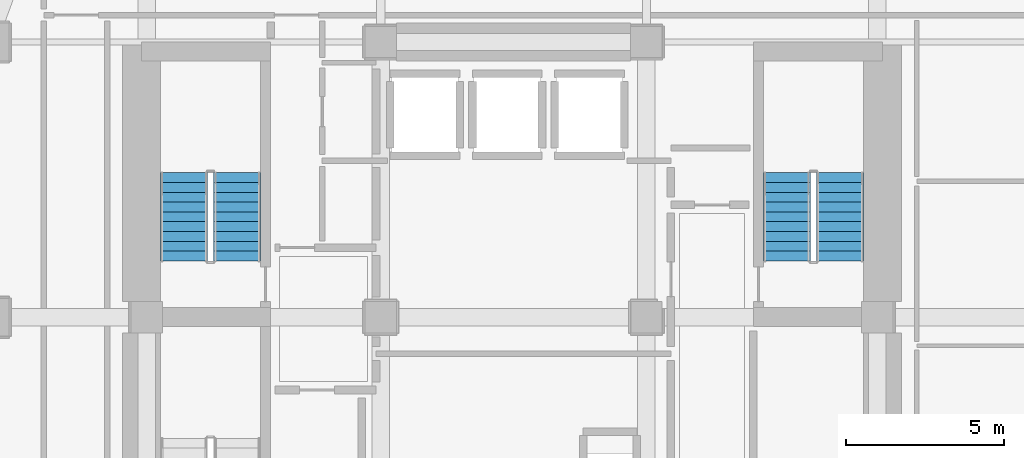
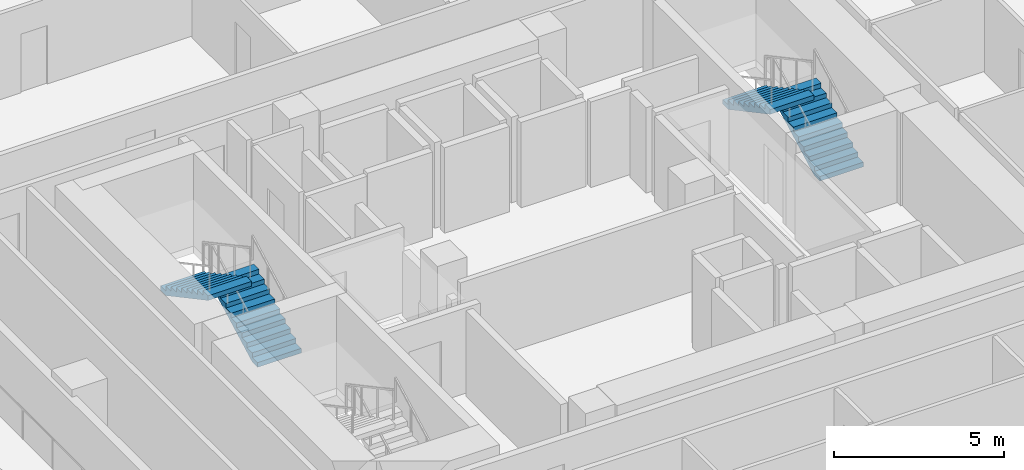
# One storey, part 7 of 11: 4 stair flights, 2 elements without a shape of their own.
"""IFC4 building model written with IfcOpenShell, lengths in metres."""

from ifc_helpers import new_model, si_unit, direction, frame, origin, place, context, subcontext, project, spatial, polyline, outline, extrude, material, type_object, element, aggregate, save


model = new_model("IFC4")

# Units and contexts
model_context = context("Model", 3, precision=1e-05, world=origin(), true_north=direction((0.0, 1.0)))
body_context = subcontext(model_context, "Body", "Model", "MODEL_VIEW")
ifc_project = project(units=[si_unit("LENGTHUNIT", "METRE"), si_unit("AREAUNIT", "SQUARE_METRE"), si_unit("VOLUMEUNIT", "CUBIC_METRE"), si_unit("PLANEANGLEUNIT", "RADIAN"), si_unit("MASSUNIT", "GRAM", prefix="KILO")], contexts=[model_context])

# Site, building, storey
site_placement = place(None, origin())
site = spatial("IfcSite", under=ifc_project, at=site_placement, CompositionType="ELEMENT")
building_placement = place(site_placement, origin())
building = spatial("IfcBuilding", under=site, at=building_placement, Name="Solanera Arch Residences", CompositionType="ELEMENT")
storey_placement = place(building_placement, frame((0.0, 0.0, 71.800048828125)))
storey = spatial("IfcBuildingStorey", under=building, at=storey_placement, Name="L20", CompositionType="ELEMENT", Elevation=71.800048828125)

# Stair, stair flights
ifc_material_1 = material(Name="Concrete C40/50 (f'c = 45 MPa)", Category="concrete")
stair_type = type_object("IfcStairType", Name="Tower Dogleg Exit Stair 1480", PredefinedType="HALF_TURN_STAIR", material=ifc_material_1)
stair_1_placement = place(storey_placement, origin())
stair_1 = element("IfcStair", 1, at=stair_1_placement, inside=storey, type_object=stair_type, Name="L20 Tower Core Exit Stair 1", PredefinedType="HALF_TURN_STAIR")
ifc_material_2 = material(Name="Concrete C40/50 (f'c = 45 MPa)", Category="concrete")
stair_flight_type = type_object("IfcStairFlightType", Name="Tower Precast Stair Flight 1480", PredefinedType="STRAIGHT", material=ifc_material_2)
stair_flight_1_placement = place(storey_placement, frame((16.260009765625, 32.47998046875, 0.0), z_axis=(0.0, 0.0, 1.0), x_axis=(0.0, 1.0, 0.0)))
stair_flight_1 = element("IfcStairFlight", 2, at=stair_flight_1_placement, type_object=stair_flight_type, Name="ST-T1 flight 1", NumberOfRisers=10, NumberOfTreads=9, PredefinedType="STRAIGHT", RiserHeight=0.166, TreadLength=0.31, context=body_context, shape_type="SweptSolid", body=[
    extrude(outline(polyline([(0.0, 0.0), (0.0, 0.166015625), (0.31005859375, 0.166015625), (0.31005859375, 0.33203125), (0.6201171875, 0.33203125), (0.6201171875, 0.498046875), (0.929931640625, 0.498046875), (0.929931640625, 0.6640625), (1.239990234375, 0.6640625), (1.239990234375, 0.830078125), (1.550048828125, 0.830078125), (1.550048828125, 0.99609375), (1.860107421875, 0.99609375), (1.860107421875, 1.162109375), (2.169921875, 1.162109375), (2.169921875, 1.327880859375), (2.47998046875, 1.327880859375), (2.47998046875, 1.493896484375), (2.7900390625, 1.493896484375), (2.7900390625, 1.659912109375), (2.7900390625, 1.323974609375), (0.317626953125, 0.0), (0.0, 0.0)])), frame((0.0, 0.739990234375, 0.0), z_axis=(0.0, -1.0, 0.0), x_axis=(1.0, 0.0, 0.0)), (0.0, 0.0, 1.0), 1.47998046875),
])
stair_flight_2_placement = place(storey_placement, frame((14.580078125, 35.27001953125, 1.659912109375), z_axis=(0.0, 0.0, 1.0), x_axis=(0.0, -1.0, 0.0)))
stair_flight_2 = element("IfcStairFlight", 3, at=stair_flight_2_placement, type_object=stair_flight_type, Name="ST-T1 flight 2", NumberOfRisers=10, NumberOfTreads=9, PredefinedType="STRAIGHT", RiserHeight=0.166, TreadLength=0.31, context=body_context, shape_type="SweptSolid", body=[
    extrude(outline(polyline([(0.0, 0.0), (0.0, 0.166015625), (0.31005859375, 0.166015625), (0.31005859375, 0.33203125), (0.6201171875, 0.33203125), (0.6201171875, 0.498046875), (0.929931640625, 0.498046875), (0.929931640625, 0.6640625), (1.239990234375, 0.6640625), (1.239990234375, 0.830078125), (1.550048828125, 0.830078125), (1.550048828125, 0.99609375), (1.860107421875, 0.99609375), (1.860107421875, 1.162109375), (2.169921875, 1.162109375), (2.169921875, 1.327880859375), (2.47998046875, 1.327880859375), (2.47998046875, 1.493896484375), (2.7900390625, 1.493896484375), (2.7900390625, 1.659912109375), (2.7900390625, 1.323974609375), (0.317626953125, 0.0), (0.0, 0.0)])), frame((0.0, 0.739990234375, 0.0), z_axis=(0.0, -1.0, 0.0), x_axis=(1.0, 0.0, 0.0)), (0.0, 0.0, 1.0), 1.47998046875),
])
aggregate(stair_1, [stair_flight_1, stair_flight_2])

stair_2_placement = place(storey_placement, origin())
stair_2 = element("IfcStair", 4, at=stair_2_placement, inside=storey, type_object=stair_type, Name="L20 Tower Core Exit Stair 2", PredefinedType="HALF_TURN_STAIR")
stair_flight_3_placement = place(storey_placement, frame((35.320068359375, 32.47998046875, 0.0), z_axis=(0.0, 0.0, 1.0), x_axis=(0.0, 1.0, 0.0)))
stair_flight_3 = element("IfcStairFlight", 5, at=stair_flight_3_placement, type_object=stair_flight_type, Name="ST-T2 flight 1", NumberOfRisers=10, NumberOfTreads=9, PredefinedType="STRAIGHT", RiserHeight=0.166, TreadLength=0.31, context=body_context, shape_type="SweptSolid", body=[
    extrude(outline(polyline([(0.0, 0.0), (0.0, 0.166015625), (0.31005859375, 0.166015625), (0.31005859375, 0.33203125), (0.6201171875, 0.33203125), (0.6201171875, 0.498046875), (0.929931640625, 0.498046875), (0.929931640625, 0.6640625), (1.239990234375, 0.6640625), (1.239990234375, 0.830078125), (1.550048828125, 0.830078125), (1.550048828125, 0.99609375), (1.860107421875, 0.99609375), (1.860107421875, 1.162109375), (2.169921875, 1.162109375), (2.169921875, 1.327880859375), (2.47998046875, 1.327880859375), (2.47998046875, 1.493896484375), (2.7900390625, 1.493896484375), (2.7900390625, 1.659912109375), (2.7900390625, 1.323974609375), (0.317626953125, 0.0), (0.0, 0.0)])), frame((0.0, 0.739990234375, 0.0), z_axis=(0.0, -1.0, 0.0), x_axis=(1.0, 0.0, 0.0)), (0.0, 0.0, 1.0), 1.47998046875),
])
stair_flight_4_placement = place(storey_placement, frame((33.639892578125, 35.27001953125, 1.659912109375), z_axis=(0.0, 0.0, 1.0), x_axis=(0.0, -1.0, 0.0)))
stair_flight_4 = element("IfcStairFlight", 6, at=stair_flight_4_placement, type_object=stair_flight_type, Name="ST-T2 flight 2", NumberOfRisers=10, NumberOfTreads=9, PredefinedType="STRAIGHT", RiserHeight=0.166, TreadLength=0.31, context=body_context, shape_type="SweptSolid", body=[
    extrude(outline(polyline([(0.0, 0.0), (0.0, 0.166015625), (0.31005859375, 0.166015625), (0.31005859375, 0.33203125), (0.6201171875, 0.33203125), (0.6201171875, 0.498046875), (0.929931640625, 0.498046875), (0.929931640625, 0.6640625), (1.239990234375, 0.6640625), (1.239990234375, 0.830078125), (1.550048828125, 0.830078125), (1.550048828125, 0.99609375), (1.860107421875, 0.99609375), (1.860107421875, 1.162109375), (2.169921875, 1.162109375), (2.169921875, 1.327880859375), (2.47998046875, 1.327880859375), (2.47998046875, 1.493896484375), (2.7900390625, 1.493896484375), (2.7900390625, 1.659912109375), (2.7900390625, 1.323974609375), (0.317626953125, 0.0), (0.0, 0.0)])), frame((0.0, 0.739990234375, 0.0), z_axis=(0.0, -1.0, 0.0), x_axis=(1.0, 0.0, 0.0)), (0.0, 0.0, 1.0), 1.47998046875),
])
aggregate(stair_2, [stair_flight_3, stair_flight_4])

save(model, "model.ifc")
